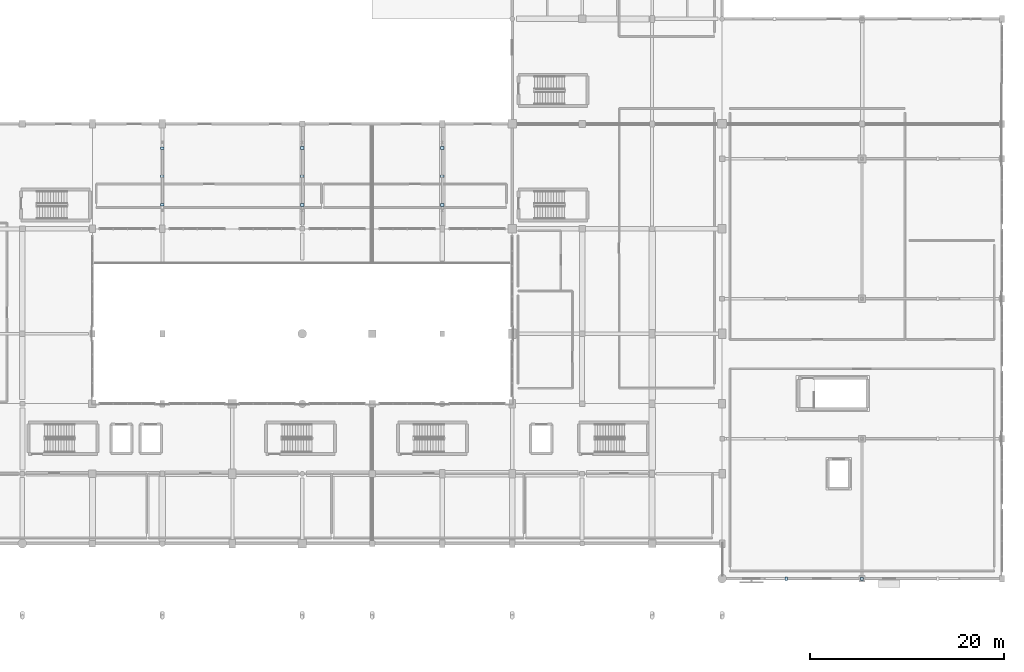
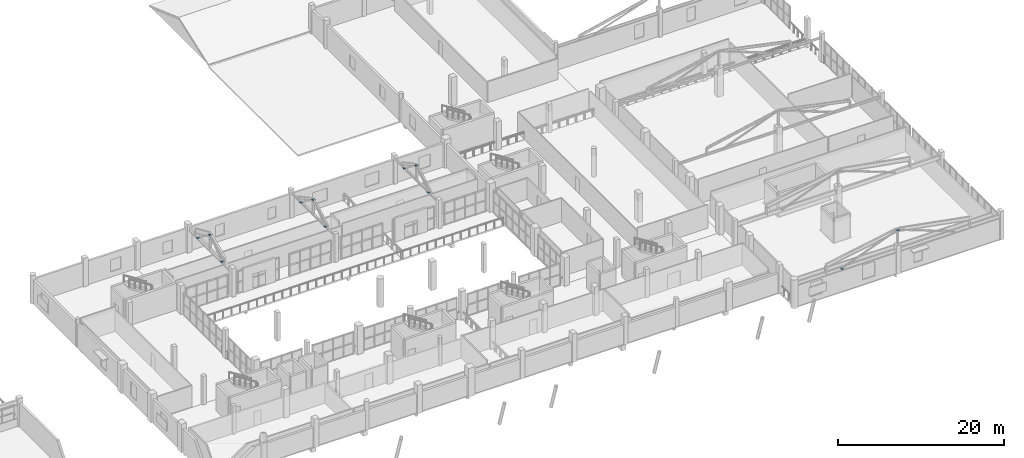
# One storey, part 59 of 92: 11 plates.
"""IFC4 building model written with IfcOpenShell, lengths in metres."""

from ifc_helpers import new_model, si_unit, direction, frame, origin, origin_2d, place, context, subcontext, project, spatial, rectangle, extrude, material, layer, layer_set, type_object, element, save


model = new_model("IFC4")

# Units and contexts
model_context = context("Model", 3, precision=1e-05, world=origin(), true_north=direction((0.0, 1.0)))
body_context = subcontext(model_context, "Body", "Model", "MODEL_VIEW")
ifc_project = project(units=[si_unit("LENGTHUNIT", "METRE"), si_unit("AREAUNIT", "SQUARE_METRE"), si_unit("VOLUMEUNIT", "CUBIC_METRE"), si_unit("PLANEANGLEUNIT", "RADIAN"), si_unit("MASSUNIT", "GRAM", prefix="KILO")], contexts=[model_context])

# Site, building, storey
site_placement = place(None, origin())
site = spatial("IfcSite", under=ifc_project, at=site_placement, CompositionType="ELEMENT")
building_placement = place(site_placement, origin())
building = spatial("IfcBuilding", under=site, at=building_placement, Name="Solanera Park Tramway Depot", CompositionType="ELEMENT")
storey_placement = place(building_placement, frame((0.0, 0.0, 4.800048828125)))
storey = spatial("IfcBuildingStorey", under=building, at=storey_placement, Name="L01", CompositionType="ELEMENT", Elevation=4.800048828125)

# Plates
ifc_material = material(Name="Steel AS/NZS 3679.1 Grade 350", Category="steel")
ifc_layer = layer(ifc_material, 0.01806640625)
ifc_layer_set = layer_set([ifc_layer], Name="Steel AS/NZS 3679.1 Grade 350")
plate_type = type_object("IfcPlateType", Name="Hollow End Cap and Base Plate 360x280x18", PredefinedType="USERDEFINED", material=ifc_layer_set)
for number, where, z_axis, x_axis, name in (
    (1, (129.60009765625, 45.675048828125, 3.485107421875), (0.0, 0.0, 1.0), (1.0, 0.0, 0.0), "Hip Truss Web Sealed Cap Plate #1161"),
    (2, (129.60009765625, 48.60009765625, 5.664794921875), (0.0, 0.0, 1.0), (1.0, 0.0, 0.0), "Hip Truss Web Sealed Cap Plate #1162"),
    (3, (129.60009765625, 51.47509765625, 3.485107421875), (0.0, 0.0, 1.0), (1.0, 0.0, 0.0), "Hip Truss Web Sealed Cap Plate #1163"),
    (4, (144.0, 45.64990234375, 3.638916015625), (0.0, 0.0, 1.0), (1.0, 0.0, 0.0), "Hip Truss Web Sealed Cap Plate #1164"),
    (5, (144.0, 48.60009765625, 5.818603515625), (0.0, 0.0, 1.0), (1.0, 0.0, 0.0), "Hip Truss Web Sealed Cap Plate #1165"),
    (6, (144.0, 51.52490234375, 3.638916015625), (0.0, 0.0, 1.0), (1.0, 0.0, 0.0), "Hip Truss Web Sealed Cap Plate #1166"),
    (7, (158.39990234375, 45.64990234375, 3.63720703125), (0.0, 0.0, 1.0), (1.0, 0.0, 0.0), "Hip Truss Web Sealed Cap Plate #1167"),
    (8, (158.39990234375, 48.60009765625, 5.817138671875), (0.0, 0.0, 1.0), (1.0, 0.0, 0.0), "Hip Truss Web Sealed Cap Plate #1168"),
    (9, (158.39990234375, 51.52490234375, 3.63720703125), (0.0, 0.0, 1.0), (1.0, 0.0, 0.0), "Hip Truss Web Sealed Cap Plate #1169"),
):
    element("IfcPlate", number, at=place(storey_placement, frame(where, z_axis=z_axis, x_axis=x_axis)), inside=storey, type_object=plate_type, Name=name, ObjectType="BASE PLATE", PredefinedType="USERDEFINED", context=body_context, shape_type="SweptSolid", body=[
        extrude(rectangle(XDim=0.360107421875, YDim=0.280029296875, at=origin_2d()), origin(), (0.0, 0.0, 1.0), 0.01806640625),
    ])
for number, where, z_axis, x_axis, name in (
    (10, (193.800048828125, 7.199951171875, 3.329345703125), (0.0, 0.0, 1.0), (1.0, 0.0, 0.0), "Hip Truss Web Sealed Cap Plate #1176"),
    (11, (201.60009765625, 7.199951171875, 6.311767578125), (0.0, 0.0, 1.0), (1.0, 0.0, 0.0), "Hip Truss Web Sealed Cap Plate #1177"),
):
    element("IfcPlate", number, at=place(storey_placement, frame(where, z_axis=z_axis, x_axis=x_axis)), inside=storey, type_object=plate_type, Name=name, ObjectType="BASE PLATE", PredefinedType="USERDEFINED", context=body_context, shape_type="SweptSolid", body=[
        extrude(rectangle(XDim=0.280029296875, YDim=0.360107421875, at=origin_2d()), origin(), (0.0, 0.0, 1.0), 0.01806640625),
    ])

save(model, "model.ifc")
